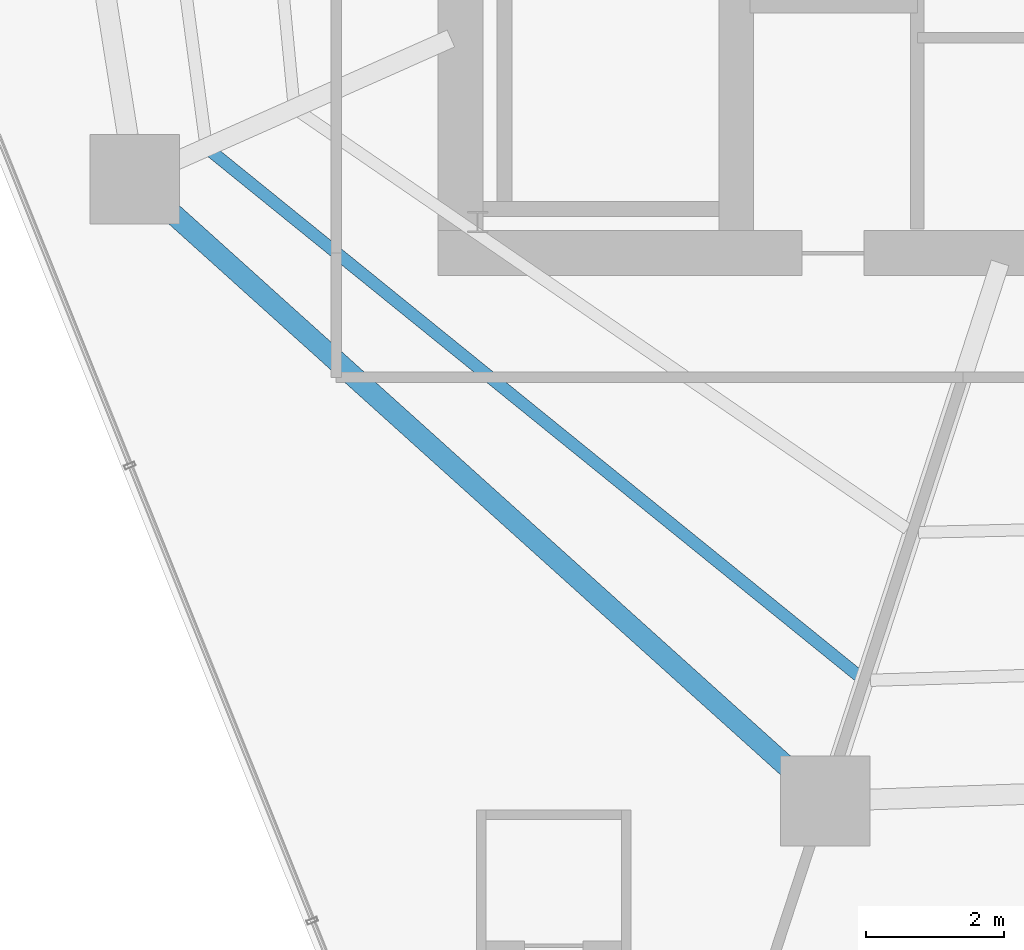
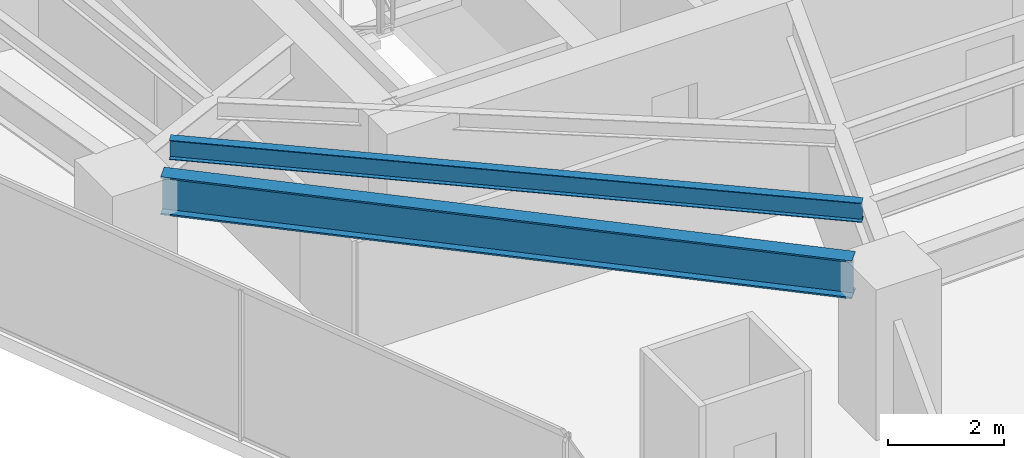
# One storey, part 4 of 32: 2 beams.
"""IFC4 building model written with IfcOpenShell, lengths in metres."""

from ifc_helpers import new_model, si_unit, direction, frame, origin, origin_2d, place, context, subcontext, project, spatial, i_section, extrude, material, material_profile, profile_set, type_object, element, save


model = new_model("IFC4")

# Units and contexts
model_context = context("Model", 3, precision=1e-05, world=origin(), true_north=direction((0.0, 1.0)))
body_context = subcontext(model_context, "Body", "Model", "MODEL_VIEW")
ifc_project = project(units=[si_unit("LENGTHUNIT", "METRE"), si_unit("AREAUNIT", "SQUARE_METRE"), si_unit("VOLUMEUNIT", "CUBIC_METRE"), si_unit("PLANEANGLEUNIT", "RADIAN"), si_unit("MASSUNIT", "GRAM", prefix="KILO")], contexts=[model_context])

# Site, building, storey
site_placement = place(None, origin())
site = spatial("IfcSite", under=ifc_project, at=site_placement, CompositionType="ELEMENT")
building_placement = place(site_placement, origin())
building = spatial("IfcBuilding", under=site, at=building_placement, Name="Qarnah Convention Tower", CompositionType="ELEMENT")
storey_placement = place(building_placement, frame((0.0, 0.0, 37.35009765625)))
storey = spatial("IfcBuildingStorey", under=building, at=storey_placement, Name="L08", CompositionType="ELEMENT", Elevation=37.35009765625)

# Beams
ifc_material = material(Name="Structural steel S355JR", Category="steel")
ifc_material_profile_1 = material_profile(ifc_material, i_section(OverallWidth=0.177978515625, OverallDepth=0.407958984375, WebThickness=0.008056640625, FlangeThickness=0.012939453125, at=origin_2d()), Name="W410X60")
ifc_profile_set_1 = profile_set([ifc_material_profile_1], Name="Structural steel S355JR")
beam_type_1 = type_object("IfcBeamType", Name="BM-JST-W410", PredefinedType="JOIST", material=ifc_profile_set_1)
beam_1_placement = place(storey_placement, frame((23.18896484375, 20.073974609375, 2.9658203125), z_axis=(0.777068026563, -0.629416620445, 0.0), x_axis=(0.629416620445, 0.777068026563, 0.0)))
element("IfcBeam", 1, at=beam_1_placement, inside=storey, type_object=beam_type_1, Name="L08 joist BM-L08-SJST-06", PredefinedType="JOIST", context=body_context, shape_type="SweptSolid", body=[
    extrude(i_section(OverallWidth=0.177978515625, OverallDepth=0.407958984375, WebThickness=0.008056640625, FlangeThickness=0.012939453125, at=origin_2d()), origin(), (0.0, 0.0, 1.0), 12.09033203125),
])
ifc_material_profile_2 = material_profile(ifc_material, i_section(OverallWidth=0.300048828125, OverallDepth=0.800048828125, WebThickness=0.01806640625, FlangeThickness=0.032958984375, at=origin_2d()), Name="HEB800")
ifc_profile_set_2 = profile_set([ifc_material_profile_2], Name="Structural steel S355JR")
beam_type_2 = type_object("IfcBeamType", Name="BM-RING-HEB800", PredefinedType="BEAM", material=ifc_profile_set_2)
beam_2_placement = place(storey_placement, frame((22.556884765625, 19.240966796875, 2.77001953125), z_axis=(0.743082870291, -0.669199408159, 0.0), x_axis=(0.669199408159, 0.743082870291, 0.0)))
element("IfcBeam", 2, at=beam_2_placement, inside=storey, type_object=beam_type_2, Name="L08 beam BM-L08-SPN-06", PredefinedType="BEAM", context=body_context, shape_type="SweptSolid", body=[
    extrude(i_section(OverallWidth=0.300048828125, OverallDepth=0.800048828125, WebThickness=0.01806640625, FlangeThickness=0.032958984375, at=origin_2d()), origin(), (0.0, 0.0, 1.0), 12.183349609375),
])

save(model, "model.ifc")
